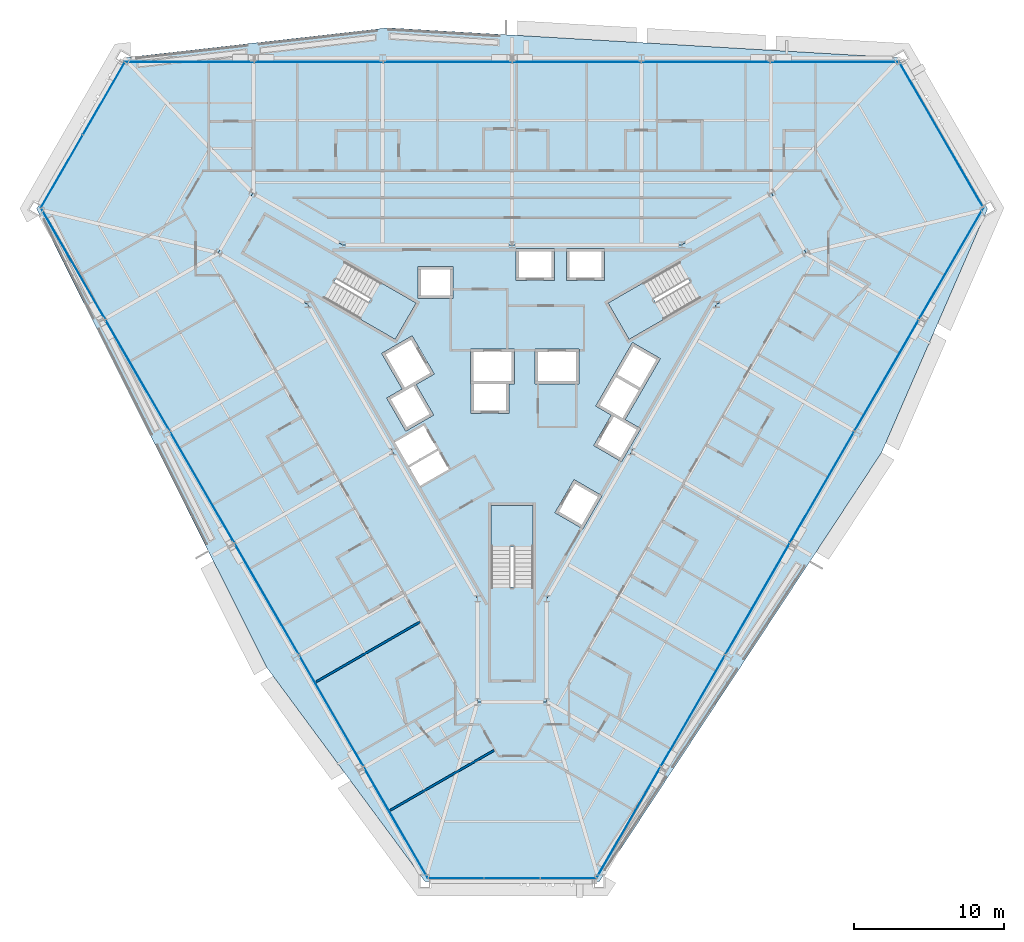
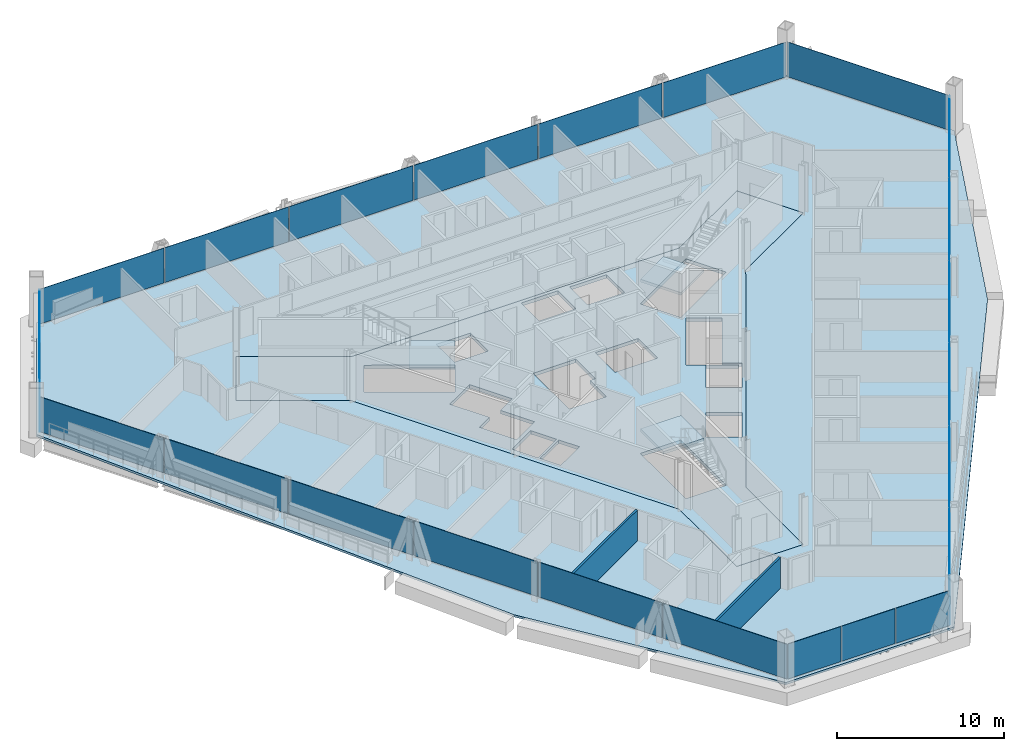
# One storey, part 10 of 18: 24 plates, 5 slabs, 2 walls, 9 elements without a shape of their own.
"""IFC4 building model written with IfcOpenShell, lengths in metres."""

from ifc_helpers import new_model, si_unit, direction, frame, frame_2d, origin, origin_2d, place, context, subcontext, project, spatial, polyline, rectangle, outline, extrude, material, layer, layer_set, type_object, element, aggregate, save


model = new_model("IFC4")

# Units and contexts
model_context = context("Model", 3, precision=1e-05, world=origin(), true_north=direction((0.0, 1.0)))
body_context = subcontext(model_context, "Body", "Model", "MODEL_VIEW")
ifc_project = project(units=[si_unit("LENGTHUNIT", "METRE"), si_unit("AREAUNIT", "SQUARE_METRE"), si_unit("VOLUMEUNIT", "CUBIC_METRE"), si_unit("PLANEANGLEUNIT", "RADIAN"), si_unit("MASSUNIT", "GRAM", prefix="KILO")], contexts=[model_context])

# Site, building, storey
site_placement = place(None, origin())
site = spatial("IfcSite", under=ifc_project, at=site_placement, CompositionType="ELEMENT")
building_placement = place(site_placement, origin())
building = spatial("IfcBuilding", under=site, at=building_placement, Name="Verrane Prism Tower", CompositionType="ELEMENT")
storey_placement = place(building_placement, frame((0.0, 0.0, 83.60009765625)))
storey = spatial("IfcBuildingStorey", under=building, at=storey_placement, Name="L19", CompositionType="ELEMENT", Elevation=83.60009765625)

# Slabs
ifc_material_1 = material(Name="Concrete C35/45", Category="concrete")
ifc_layer_1 = layer(ifc_material_1, 0.159912109375)
ifc_layer_set_1 = layer_set([ifc_layer_1], Name="Composite floor slab")
slab_type_1 = type_object("IfcSlabType", Name="Composite floor slab", PredefinedType="FLOOR", material=ifc_layer_set_1)
slab_1_placement = place(storey_placement, frame((0.0, 0.0, -0.16015625)))
element("IfcSlab", 1, at=slab_1_placement, inside=storey, type_object=slab_type_1, Name="Floor slab L19", PredefinedType="FLOOR", context=body_context, shape_type="SweptSolid", body=[
    extrude(outline(polyline([(24.64208984375, -4.65869140625), (5.819091796875, -33.26123046875), (-5.819091796875, -33.26123046875), (-16.35546875, -19.011474609375), (-31.714599609375, 11.59130859375), (-25.8955078125, 21.669921875), (-8.28662109375, 23.669921875), (25.8955078125, 21.669921875), (31.714599609375, 11.59130859375), (24.64208984375, -4.65869140625)]), holes=[polyline([(19.60009765625, 8.659912109375), (17.300048828125, 12.639892578125), (11.330078125, 9.199951171875), (0.0, 9.199951171875), (-11.330078125, 9.199951171875), (-17.300048828125, 12.639892578125), (-19.60009765625, 8.659912109375), (-13.6298828125, 5.219970703125), (-7.969970703125, -4.60009765625), (-2.300048828125, -14.419921875), (-2.300048828125, -21.300048828125), (2.300048828125, -21.300048828125), (2.300048828125, -14.419921875), (7.969970703125, -4.60009765625), (13.6298828125, 5.219970703125), (19.60009765625, 8.659912109375)])]), origin(), (0.0, 0.0, 1.0), 0.16015625),
])
ifc_material_2 = material(Name="Concrete C40/50", Category="concrete")
ifc_layer_2 = layer(ifc_material_2, 0.25)
ifc_layer_set_2 = layer_set([ifc_layer_2], Name="Core floor slab 250 concrete C40/50")
slab_type_2 = type_object("IfcSlabType", Name="Core floor slab 250 concrete C40/50", PredefinedType="FLOOR", material=ifc_layer_set_2)
slab_2_placement = place(storey_placement, frame((0.0, 0.0, -0.25)))
element("IfcSlab", 2, at=slab_2_placement, inside=storey, type_object=slab_type_2, Name="Core floor L19", PredefinedType="FLOOR", context=body_context, shape_type="SweptSolid", body=[
    extrude(outline(polyline([(13.6298828125, 5.219970703125), (19.60009765625, 8.659912109375), (17.300048828125, 12.639892578125), (11.330078125, 9.199951171875), (0.0, 9.199951171875), (-11.330078125, 9.199951171875), (-17.300048828125, 12.639892578125), (-19.60009765625, 8.659912109375), (-13.6298828125, 5.219970703125), (-7.969970703125, -4.60009765625), (-2.300048828125, -14.419921875), (-2.300048828125, -21.300048828125), (2.300048828125, -21.300048828125), (2.300048828125, -14.419921875), (7.969970703125, -4.60009765625), (13.6298828125, 5.219970703125)]), holes=[polyline([(1.39990234375, -8.199951171875), (1.39990234375, -13.639892578125), (-1.39990234375, -13.639892578125), (-1.39990234375, -8.199951171875), (1.39990234375, -8.199951171875)]), polyline([(-4.215087890625, -5.77099609375), (-6.14208984375, -6.883056640625), (-6.85400390625, -5.64599609375), (-4.928955078125, -4.533935546875), (-4.215087890625, -5.77099609375)]), polyline([(-5.0029296875, -4.404052734375), (-6.929931640625, -5.51708984375), (-7.819091796875, -3.97705078125), (-5.89306640625, -2.864013671875), (-5.0029296875, -4.404052734375)]), polyline([(0.1650390625, 2.25), (0.1650390625, -0.10009765625), (-0.205078125, -0.10009765625), (-0.205078125, -2.050048828125), (-2.7548828125, -2.050048828125), (-2.7548828125, -0.10009765625), (-2.784912109375, -0.10009765625), (-2.784912109375, 2.25), (0.1650390625, 2.25)]), polyline([(-12.512939453125, 5.60791015625), (-11.113037109375, 8.031982421875), (-6.40087890625, 5.31201171875), (-7.801025390625, 2.887939453125), (-12.512939453125, 5.60791015625)]), polyline([(-6.284912109375, 5.610107421875), (-6.284912109375, 7.760009765625), (-3.93505859375, 7.760009765625), (-3.93505859375, 5.610107421875), (-6.284912109375, 5.610107421875)]), polyline([(4.717041015625, -9.75), (2.85498046875, -8.675048828125), (4.1298828125, -6.466064453125), (5.991943359375, -7.541015625), (4.717041015625, -9.75)]), polyline([(8.303955078125, -3.136962890625), (5.575927734375, -1.56201171875), (8.02587890625, 2.680908203125), (9.887939453125, 1.60595703125), (7.5380859375, -2.464111328125), (8.576904296875, -3.06396484375), (7.302001953125, -5.27197265625), (5.43994140625, -4.197021484375), (6.614990234375, -2.162109375), (8.303955078125, -3.136962890625)]), polyline([(1.52490234375, -0.10009765625), (1.52490234375, 2.25), (4.47509765625, 2.25), (4.47509765625, -0.10009765625), (1.52490234375, -0.10009765625)]), polyline([(6.40087890625, 5.31201171875), (11.113037109375, 8.031982421875), (12.512939453125, 5.60791015625), (7.801025390625, 2.887939453125), (6.40087890625, 5.31201171875)]), polyline([(0.264892578125, 6.81005859375), (0.264892578125, 8.9599609375), (2.81494140625, 8.9599609375), (2.81494140625, 6.81005859375), (0.264892578125, 6.81005859375)]), polyline([(3.625, 6.81005859375), (3.625, 8.9599609375), (6.175048828125, 8.9599609375), (6.175048828125, 6.81005859375), (3.625, 6.81005859375)]), polyline([(-5.23095703125, -2.159912109375), (-7.093017578125, -3.235107421875), (-8.367919921875, -1.02587890625), (-7.3291015625, -0.426025390625), (-8.7041015625, 1.955078125), (-6.66796875, 3.1298828125), (-5.193115234375, 0.574951171875), (-6.406005859375, -0.125), (-5.23095703125, -2.159912109375)])]), origin(), (0.0, 0.0, 1.0), 0.25),
])

# Curtain wall, plates
ifc_material_3 = material(Name="Aluminium framed insulated glazing", Category="aluminium")
curtain_wall_type_1 = type_object("IfcCurtainWallType", Name="Curtain wall CW-C 4200 module", PredefinedType="NOTDEFINED", material=ifc_material_3)
curtain_wall_1_placement = place(storey_placement, origin())
curtain_wall_1 = element("IfcCurtainWall", 3, at=curtain_wall_1_placement, inside=storey, type_object=curtain_wall_type_1, Name="Glazed curtain wall south corner L19", PredefinedType="NOTDEFINED")
ifc_material_4 = material(Name="Low-iron insulating glass unit", Category="glass")
ifc_layer_3 = layer(ifc_material_4, 0.02392578125)
ifc_layer_set_3 = layer_set([ifc_layer_3], Name="Glazing panel IGU 24")
plate_type_1 = type_object("IfcPlateType", Name="Glazing panel IGU 24", PredefinedType="CURTAIN_PANEL", material=ifc_layer_set_3)
plate_1_placement = place(storey_placement, frame((-3.72998046875, -33.058349609375, 0.0498046875), z_axis=(0.0, 0.0, 1.0), x_axis=(1.0, 0.0, 0.0)))
plate_1 = element("IfcPlate", 4, at=plate_1_placement, type_object=plate_type_1, Name="CW17.5 panel 1", PredefinedType="CURTAIN_PANEL", context=body_context, shape_type="SweptSolid", body=[
    extrude(rectangle(XDim=3.66748046875, YDim=0.02392578125, at=origin_2d()), origin(), (0.0, 0.0, 1.0), 2.56298828125),
])
plate_2_placement = place(storey_placement, frame((0.0, -33.058349609375, 0.0498046875), z_axis=(0.0, 0.0, 1.0), x_axis=(1.0, 0.0, 0.0)))
plate_2 = element("IfcPlate", 5, at=plate_2_placement, type_object=plate_type_1, Name="CW17.5 panel 2", PredefinedType="CURTAIN_PANEL", context=body_context, shape_type="SweptSolid", body=[
    extrude(rectangle(XDim=3.692626953125, YDim=0.02392578125, at=origin_2d()), origin(), (0.0, 0.0, 1.0), 2.56298828125),
])
plate_3_placement = place(storey_placement, frame((3.755126953125, -33.058349609375, 0.0498046875), z_axis=(0.0, 0.0, 1.0), x_axis=(1.0, 0.0, 0.0)))
plate_3 = element("IfcPlate", 6, at=plate_3_placement, type_object=plate_type_1, Name="CW17.5 panel 3", PredefinedType="CURTAIN_PANEL", context=body_context, shape_type="SweptSolid", body=[
    extrude(rectangle(XDim=3.717529296875, YDim=0.02392578125, at=origin_2d()), origin(), (0.0, 0.0, 1.0), 2.56298828125),
])
aggregate(curtain_wall_1, [plate_1, plate_2, plate_3])

ifc_material_5 = material(Name="Aluminium framed insulated glazing", Category="aluminium")
curtain_wall_type_2 = type_object("IfcCurtainWallType", Name="Curtain wall CW-B 5600 module", PredefinedType="NOTDEFINED", material=ifc_material_5)
curtain_wall_2_placement = place(storey_placement, origin())
curtain_wall_2 = element("IfcCurtainWall", 7, at=curtain_wall_2_placement, inside=storey, type_object=curtain_wall_type_2, Name="Glazed curtain wall north-west corner L19", PredefinedType="NOTDEFINED")
ifc_material_6 = material(Name="Low-iron insulating glass unit", Category="glass")
ifc_layer_4 = layer(ifc_material_6, 0.028076171875)
ifc_layer_set_4 = layer_set([ifc_layer_4], Name="Glazing panel IGU 28")
plate_type_2 = type_object("IfcPlateType", Name="Glazing panel IGU 28", PredefinedType="CURTAIN_PANEL", material=ifc_layer_set_4)
plate_4_placement = place(storey_placement, frame((-27.2333984375, 18.947021484375, 0.06005859375), z_axis=(0.0, 0.0, 1.0), x_axis=(-0.499998458466, -0.866026293788, 0.0)))
plate_4 = element("IfcPlate", 8, at=plate_4_placement, type_object=plate_type_2, Name="CW17.3 panel 1", PredefinedType="CURTAIN_PANEL", context=body_context, shape_type="SweptSolid", body=[
    extrude(rectangle(XDim=5.52392578125, YDim=0.028076171875, at=origin_2d()), origin(), (0.0, 0.0, 1.0), 2.552978515625),
])
plate_5_placement = place(storey_placement, frame((-30.040283203125, 14.085205078125, 0.06005859375), z_axis=(0.0, 0.0, 1.0), x_axis=(-0.499998458466, -0.866026293788, 0.0)))
plate_5 = element("IfcPlate", 9, at=plate_5_placement, type_object=plate_type_2, Name="CW17.3 panel 2", PredefinedType="CURTAIN_PANEL", context=body_context, shape_type="SweptSolid", body=[
    extrude(rectangle(XDim=5.583984375, YDim=0.028076171875, at=origin_2d()), origin(), (0.0, 0.0, 1.0), 2.552978515625),
])
aggregate(curtain_wall_2, [plate_4, plate_5])

# Curtain wall, plate
ifc_material_7 = material(Name="Aluminium framed insulated glazing", Category="aluminium")
curtain_wall_type_3 = type_object("IfcCurtainWallType", Name="Curtain wall CW-A 8400 module", PredefinedType="NOTDEFINED", material=ifc_material_7)
curtain_wall_3_placement = place(storey_placement, origin())
curtain_wall_3 = element("IfcCurtainWall", 10, at=curtain_wall_3_placement, inside=storey, type_object=curtain_wall_type_3, Name="Glazed curtain wall north-east corner L19", PredefinedType="NOTDEFINED")
ifc_material_8 = material(Name="Low-iron insulating glass unit", Category="glass")
ifc_layer_5 = layer(ifc_material_8, 0.031982421875)
ifc_layer_set_5 = layer_set([ifc_layer_5], Name="Glazing panel IGU 32")
plate_type_3 = type_object("IfcPlateType", Name="Glazing panel IGU 32", PredefinedType="CURTAIN_PANEL", material=ifc_layer_set_5)
plate_6_placement = place(storey_placement, frame((28.61181640625, 16.5595703125, 0.06982421875), z_axis=(0.0, 0.0, 1.0), x_axis=(-0.499998458466, 0.866026293788, 0.0)))
plate_6 = element("IfcPlate", 11, at=plate_6_placement, type_object=plate_type_3, Name="CW17.1 panel 1", PredefinedType="CURTAIN_PANEL", context=body_context, shape_type="SweptSolid", body=[
    extrude(rectangle(XDim=11.15771484375, YDim=0.031982421875, at=origin_2d()), origin(), (0.0, 0.0, 1.0), 2.54296875),
])
aggregate(curtain_wall_3, [plate_6])

# Curtain wall, plates
curtain_wall_4_placement = place(storey_placement, origin())
curtain_wall_4 = element("IfcCurtainWall", 12, at=curtain_wall_4_placement, inside=storey, type_object=curtain_wall_type_3, Name="Glazed curtain wall north face L19", PredefinedType="NOTDEFINED")
plate_7_placement = place(storey_placement, frame((21.501220703125, 21.39111328125, 0.06982421875), z_axis=(0.0, 0.0, 1.0), x_axis=(-1.0, 0.0, 0.0)))
plate_7 = element("IfcPlate", 13, at=plate_7_placement, type_object=plate_type_3, Name="CW17.2 panel 1", PredefinedType="CURTAIN_PANEL", context=body_context, shape_type="SweptSolid", body=[
    extrude(rectangle(XDim=8.50244140625, YDim=0.031982421875, at=origin_2d()), origin(), (0.0, 0.0, 1.0), 2.54296875),
])
plate_8_placement = place(storey_placement, frame((12.9111328125, 21.39111328125, 0.06982421875), z_axis=(0.0, 0.0, 1.0), x_axis=(-1.0, 0.0, 0.0)))
plate_8 = element("IfcPlate", 14, at=plate_8_placement, type_object=plate_type_3, Name="CW17.2 panel 2", PredefinedType="CURTAIN_PANEL", context=body_context, shape_type="SweptSolid", body=[
    extrude(rectangle(XDim=8.537353515625, YDim=0.031982421875, at=origin_2d()), origin(), (0.0, 0.0, 1.0), 2.54296875),
])
plate_9_placement = place(storey_placement, frame((4.3037109375, 21.39111328125, 0.06982421875), z_axis=(0.0, 0.0, 1.0), x_axis=(-1.0, 0.0, 0.0)))
plate_9 = element("IfcPlate", 15, at=plate_9_placement, type_object=plate_type_3, Name="CW17.2 panel 3", PredefinedType="CURTAIN_PANEL", context=body_context, shape_type="SweptSolid", body=[
    extrude(rectangle(XDim=8.537353515625, YDim=0.031982421875, at=origin_2d()), origin(), (0.0, 0.0, 1.0), 2.54296875),
])
plate_10_placement = place(storey_placement, frame((-4.3037109375, 21.39111328125, 0.06982421875), z_axis=(0.0, 0.0, 1.0), x_axis=(-1.0, 0.0, 0.0)))
plate_10 = element("IfcPlate", 16, at=plate_10_placement, type_object=plate_type_3, Name="CW17.2 panel 4", PredefinedType="CURTAIN_PANEL", context=body_context, shape_type="SweptSolid", body=[
    extrude(rectangle(XDim=8.537353515625, YDim=0.031982421875, at=origin_2d()), origin(), (0.0, 0.0, 1.0), 2.54296875),
])
plate_11_placement = place(storey_placement, frame((-12.9111328125, 21.39111328125, 0.06982421875), z_axis=(0.0, 0.0, 1.0), x_axis=(-1.0, 0.0, 0.0)))
plate_11 = element("IfcPlate", 17, at=plate_11_placement, type_object=plate_type_3, Name="CW17.2 panel 5", PredefinedType="CURTAIN_PANEL", context=body_context, shape_type="SweptSolid", body=[
    extrude(rectangle(XDim=8.537353515625, YDim=0.031982421875, at=origin_2d()), origin(), (0.0, 0.0, 1.0), 2.54296875),
])
plate_12_placement = place(storey_placement, frame((-21.5361328125, 21.39111328125, 0.06982421875), z_axis=(0.0, 0.0, 1.0), x_axis=(-1.0, 0.0, 0.0)))
plate_12 = element("IfcPlate", 18, at=plate_12_placement, type_object=plate_type_3, Name="CW17.2 panel 6", PredefinedType="CURTAIN_PANEL", context=body_context, shape_type="SweptSolid", body=[
    extrude(rectangle(XDim=8.572509765625, YDim=0.031982421875, at=origin_2d()), origin(), (0.0, 0.0, 1.0), 2.54296875),
])
aggregate(curtain_wall_4, [plate_7, plate_8, plate_9, plate_10, plate_11, plate_12])

curtain_wall_5_placement = place(storey_placement, origin())
curtain_wall_5 = element("IfcCurtainWall", 19, at=curtain_wall_5_placement, inside=storey, type_object=curtain_wall_type_3, Name="Glazed curtain wall south-west face L19", PredefinedType="NOTDEFINED")
plate_13_placement = place(storey_placement, frame((-29.275634765625, 7.925048828125, 0.06982421875), z_axis=(0.0, 0.0, 1.0), x_axis=(0.499999235121, -0.866025845387, 0.0)))
plate_13 = element("IfcPlate", 20, at=plate_13_placement, type_object=plate_type_3, Name="CW17.4 panel 1", PredefinedType="CURTAIN_PANEL", context=body_context, shape_type="SweptSolid", body=[
    extrude(rectangle(XDim=8.50244140625, YDim=0.031982421875, at=origin_2d()), origin(), (0.0, 0.0, 1.0), 2.54296875),
])
plate_14_placement = place(storey_placement, frame((-24.980712890625, 0.48583984375, 0.06982421875), z_axis=(0.0, 0.0, 1.0), x_axis=(0.499999235121, -0.866025845387, 0.0)))
plate_14 = element("IfcPlate", 21, at=plate_14_placement, type_object=plate_type_3, Name="CW17.4 panel 2", PredefinedType="CURTAIN_PANEL", context=body_context, shape_type="SweptSolid", body=[
    extrude(rectangle(XDim=8.53759765625, YDim=0.031982421875, at=origin_2d()), origin(), (0.0, 0.0, 1.0), 2.54296875),
])
plate_15_placement = place(storey_placement, frame((-20.677001953125, -6.96826171875, 0.06982421875), z_axis=(0.0, 0.0, 1.0), x_axis=(0.499999235121, -0.866025845387, 0.0)))
plate_15 = element("IfcPlate", 22, at=plate_15_placement, type_object=plate_type_3, Name="CW17.4 panel 3", PredefinedType="CURTAIN_PANEL", context=body_context, shape_type="SweptSolid", body=[
    extrude(rectangle(XDim=8.53759765625, YDim=0.031982421875, at=origin_2d()), origin(), (0.0, 0.0, 1.0), 2.54296875),
])
plate_16_placement = place(storey_placement, frame((-16.373291015625, -14.422607421875, 0.06982421875), z_axis=(0.0, 0.0, 1.0), x_axis=(0.499999235121, -0.866025845387, 0.0)))
plate_16 = element("IfcPlate", 23, at=plate_16_placement, type_object=plate_type_3, Name="CW17.4 panel 4", PredefinedType="CURTAIN_PANEL", context=body_context, shape_type="SweptSolid", body=[
    extrude(rectangle(XDim=8.53759765625, YDim=0.031982421875, at=origin_2d()), origin(), (0.0, 0.0, 1.0), 2.54296875),
])
plate_17_placement = place(storey_placement, frame((-12.069580078125, -21.876953125, 0.06982421875), z_axis=(0.0, 0.0, 1.0), x_axis=(0.499999235121, -0.866025845387, 0.0)))
plate_17 = element("IfcPlate", 24, at=plate_17_placement, type_object=plate_type_3, Name="CW17.4 panel 5", PredefinedType="CURTAIN_PANEL", context=body_context, shape_type="SweptSolid", body=[
    extrude(rectangle(XDim=8.53759765625, YDim=0.031982421875, at=origin_2d()), origin(), (0.0, 0.0, 1.0), 2.54296875),
])
plate_18_placement = place(storey_placement, frame((-7.757080078125, -29.346435546875, 0.06982421875), z_axis=(0.0, 0.0, 1.0), x_axis=(0.499999235121, -0.866025845387, 0.0)))
plate_18 = element("IfcPlate", 25, at=plate_18_placement, type_object=plate_type_3, Name="CW17.4 panel 6", PredefinedType="CURTAIN_PANEL", context=body_context, shape_type="SweptSolid", body=[
    extrude(rectangle(XDim=8.572509765625, YDim=0.031982421875, at=origin_2d()), origin(), (0.0, 0.0, 1.0), 2.54296875),
])
aggregate(curtain_wall_5, [plate_13, plate_14, plate_15, plate_16, plate_17, plate_18])

curtain_wall_6_placement = place(storey_placement, origin())
curtain_wall_6 = element("IfcCurtainWall", 26, at=curtain_wall_6_placement, inside=storey, type_object=curtain_wall_type_3, Name="Glazed curtain wall south-east face L19", PredefinedType="NOTDEFINED")
plate_19_placement = place(storey_placement, frame((7.7744140625, -29.316162109375, 0.06982421875), z_axis=(0.0, 0.0, 1.0), x_axis=(0.499999235121, 0.866025845387, 0.0)))
plate_19 = element("IfcPlate", 27, at=plate_19_placement, type_object=plate_type_3, Name="CW17.6 panel 1", PredefinedType="CURTAIN_PANEL", context=body_context, shape_type="SweptSolid", body=[
    extrude(rectangle(XDim=8.50244140625, YDim=0.031982421875, at=origin_2d()), origin(), (0.0, 0.0, 1.0), 2.54296875),
])
plate_20_placement = place(storey_placement, frame((12.069580078125, -21.876953125, 0.06982421875), z_axis=(0.0, 0.0, 1.0), x_axis=(0.499999235121, 0.866025845387, 0.0)))
plate_20 = element("IfcPlate", 28, at=plate_20_placement, type_object=plate_type_3, Name="CW17.6 panel 2", PredefinedType="CURTAIN_PANEL", context=body_context, shape_type="SweptSolid", body=[
    extrude(rectangle(XDim=8.53759765625, YDim=0.031982421875, at=origin_2d()), origin(), (0.0, 0.0, 1.0), 2.54296875),
])
plate_21_placement = place(storey_placement, frame((16.373291015625, -14.422607421875, 0.06982421875), z_axis=(0.0, 0.0, 1.0), x_axis=(0.499999235121, 0.866025845387, 0.0)))
plate_21 = element("IfcPlate", 29, at=plate_21_placement, type_object=plate_type_3, Name="CW17.6 panel 3", PredefinedType="CURTAIN_PANEL", context=body_context, shape_type="SweptSolid", body=[
    extrude(rectangle(XDim=8.53759765625, YDim=0.031982421875, at=origin_2d()), origin(), (0.0, 0.0, 1.0), 2.54296875),
])
plate_22_placement = place(storey_placement, frame((20.677001953125, -6.96826171875, 0.06982421875), z_axis=(0.0, 0.0, 1.0), x_axis=(0.499999235121, 0.866025845387, 0.0)))
plate_22 = element("IfcPlate", 30, at=plate_22_placement, type_object=plate_type_3, Name="CW17.6 panel 4", PredefinedType="CURTAIN_PANEL", context=body_context, shape_type="SweptSolid", body=[
    extrude(rectangle(XDim=8.53759765625, YDim=0.031982421875, at=origin_2d()), origin(), (0.0, 0.0, 1.0), 2.54296875),
])
plate_23_placement = place(storey_placement, frame((24.980712890625, 0.48583984375, 0.06982421875), z_axis=(0.0, 0.0, 1.0), x_axis=(0.499999235121, 0.866025845387, 0.0)))
plate_23 = element("IfcPlate", 31, at=plate_23_placement, type_object=plate_type_3, Name="CW17.6 panel 5", PredefinedType="CURTAIN_PANEL", context=body_context, shape_type="SweptSolid", body=[
    extrude(rectangle(XDim=8.53759765625, YDim=0.031982421875, at=origin_2d()), origin(), (0.0, 0.0, 1.0), 2.54296875),
])
plate_24_placement = place(storey_placement, frame((29.293212890625, 7.955322265625, 0.06982421875), z_axis=(0.0, 0.0, 1.0), x_axis=(0.499999235121, 0.866025845387, 0.0)))
plate_24 = element("IfcPlate", 32, at=plate_24_placement, type_object=plate_type_3, Name="CW17.6 panel 6", PredefinedType="CURTAIN_PANEL", context=body_context, shape_type="SweptSolid", body=[
    extrude(rectangle(XDim=8.572509765625, YDim=0.031982421875, at=origin_2d()), origin(), (0.0, 0.0, 1.0), 2.54296875),
])
aggregate(curtain_wall_6, [plate_19, plate_20, plate_21, plate_22, plate_23, plate_24])

# Stair, slab
ifc_material_9 = material(Name="Concrete C40/50", Category="concrete")
stair_type = type_object("IfcStairType", Name="Exit stair 1300 dog-leg precast concrete C40/50", PredefinedType="HALF_TURN_STAIR", material=ifc_material_9)
stair_1_placement = place(storey_placement, origin())
stair_1 = element("IfcStair", 33, at=stair_1_placement, inside=storey, type_object=stair_type, Name="Stair 1 L19", PredefinedType="HALF_TURN_STAIR")
ifc_material_10 = material(Name="Concrete C40/50", Category="concrete")
ifc_layer_6 = layer(ifc_material_10, 0.199951171875)
ifc_layer_set_6 = layer_set([ifc_layer_6], Name="Stair landing 200 precast concrete C40/50")
slab_type_3 = type_object("IfcSlabType", Name="Stair landing 200 precast concrete C40/50", PredefinedType="LANDING", material=ifc_layer_set_6)
slab_3_placement = place(storey_placement, frame((0.0, 0.0, 1.599853515625)))
slab_3 = element("IfcSlab", 34, at=slab_3_placement, type_object=slab_type_3, Name="Stair 1 landing 1", PredefinedType="LANDING", context=body_context, shape_type="SweptSolid", body=[
    extrude(outline(polyline([(8.791748046875, 6.6923828125), (6.4013671875, 5.3125), (7.801513671875, 2.887451171875), (10.191650390625, 4.267578125), (8.791748046875, 6.6923828125)])), origin(), (0.0, 0.0, 1.0), 0.199951171875),
])
aggregate(stair_1, [slab_3])

stair_2_placement = place(storey_placement, origin())
stair_2 = element("IfcStair", 35, at=stair_2_placement, inside=storey, type_object=stair_type, Name="Stair 2 L19", PredefinedType="HALF_TURN_STAIR")
slab_4_placement = place(storey_placement, frame((0.0, 0.0, 1.599853515625)))
slab_4 = element("IfcSlab", 36, at=slab_4_placement, type_object=slab_type_3, Name="Stair 2 landing 1", PredefinedType="LANDING", context=body_context, shape_type="SweptSolid", body=[
    extrude(outline(polyline([(-10.191650390625, 4.267578125), (-7.801513671875, 2.887451171875), (-6.4013671875, 5.3125), (-8.791748046875, 6.6923828125), (-10.191650390625, 4.267578125)])), origin(), (0.0, 0.0, 1.0), 0.199951171875),
])
aggregate(stair_2, [slab_4])

stair_3_placement = place(storey_placement, origin())
stair_3 = element("IfcStair", 37, at=stair_3_placement, inside=storey, type_object=stair_type, Name="Stair 3 L19", PredefinedType="HALF_TURN_STAIR")
slab_5_placement = place(storey_placement, frame((0.0, 0.0, 1.599853515625)))
slab_5 = element("IfcSlab", 38, at=slab_5_placement, type_object=slab_type_3, Name="Stair 3 landing 1", PredefinedType="LANDING", context=body_context, shape_type="SweptSolid", body=[
    extrude(outline(polyline([(1.39990234375, -10.9599609375), (1.39990234375, -8.199951171875), (-1.39990234375, -8.199951171875), (-1.39990234375, -10.9599609375), (1.39990234375, -10.9599609375)])), origin(), (0.0, 0.0, 1.0), 0.199951171875),
])
aggregate(stair_3, [slab_5])

# Walls
ifc_material_11 = material(Name="Gypsum board partition", Category="other")
ifc_layer_7 = layer(ifc_material_11, 0.14990234375)
ifc_layer_set_7 = layer_set([ifc_layer_7], Name="PW-150 demising wall 1 h")
wall_type = type_object("IfcWallType", Name="PW-150 demising wall 1 h", PredefinedType="PARTITIONING", material=ifc_layer_set_7)
for number, where, z_axis, x_axis, name in (
    (39, (-13.069091796875, -19.953125, 0.0), (0.0, 0.0, 1.0), (0.866021771655, 0.500006290979, 0.0), "Demising wall 023"),
    (40, (-8.1240234375, -28.51806640625, 0.0), (0.0, 0.0, 1.0), (0.866021771655, 0.500006290979, 0.0), "Demising wall 034"),
):
    element("IfcWall", number, at=place(storey_placement, frame(where, z_axis=z_axis, x_axis=x_axis)), inside=storey, type_object=wall_type, Name=name, PredefinedType="PARTITIONING", context=body_context, shape_type="SweptSolid", body=[
        extrude(rectangle(XDim=7.99169921875, YDim=0.14990234375, at=frame_2d((3.995849609375, 0.0))), origin(), (0.0, 0.0, 1.0), 2.261962890625),
    ])

save(model, "model.ifc")
